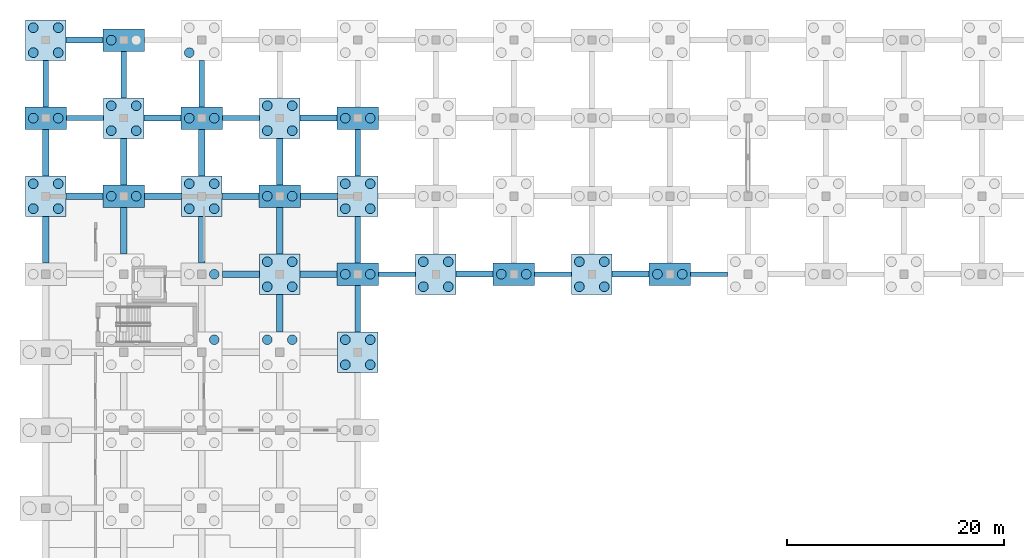
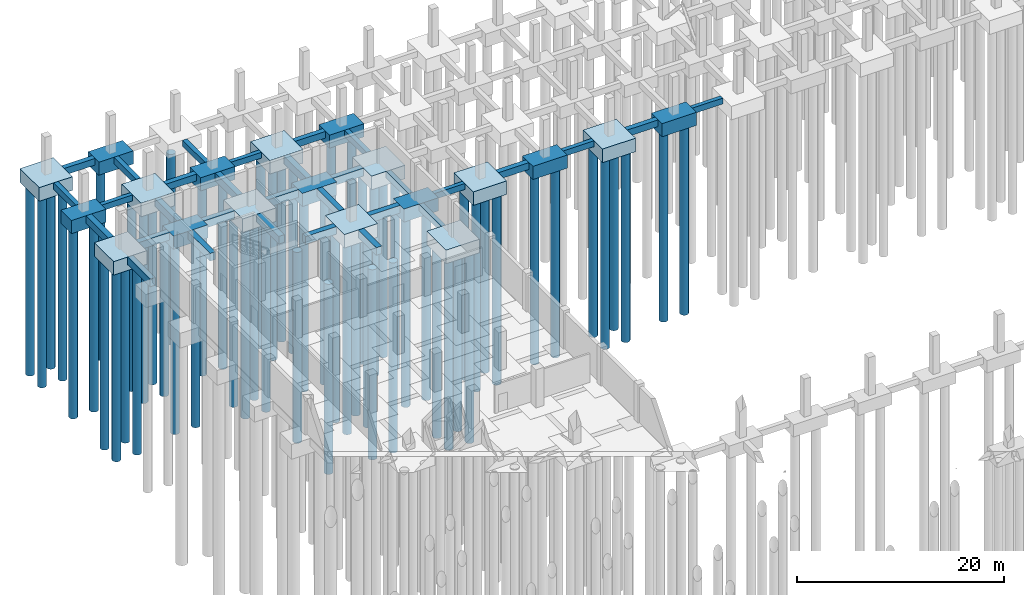
# One storey, part 7 of 36: 62 piles, 50 footings.
"""IFC4 building model written with IfcOpenShell, lengths in metres."""

from ifc_helpers import new_model, si_unit, direction, frame, origin, origin_2d, place, context, subcontext, project, spatial, rectangle, circle, extrude, material, material_profile, profile_set, type_object, element, save


model = new_model("IFC4")

# Units and contexts
model_context = context("Model", 3, precision=1e-05, world=origin(), true_north=direction((0.0, 1.0)))
body_context = subcontext(model_context, "Body", "Model", "MODEL_VIEW")
ifc_project = project(units=[si_unit("LENGTHUNIT", "METRE"), si_unit("AREAUNIT", "SQUARE_METRE"), si_unit("VOLUMEUNIT", "CUBIC_METRE"), si_unit("PLANEANGLEUNIT", "RADIAN"), si_unit("MASSUNIT", "GRAM", prefix="KILO")], contexts=[model_context])

# Site, building, storey
site_placement = place(None, origin())
site = spatial("IfcSite", under=ifc_project, at=site_placement, CompositionType="ELEMENT")
building_placement = place(site_placement, origin())
building = spatial("IfcBuilding", under=site, at=building_placement, Name="Kalmorath City Hall", CompositionType="ELEMENT")
storey_placement = place(building_placement, frame((0.0, 0.0, -4.5)))
storey = spatial("IfcBuildingStorey", under=building, at=storey_placement, Name="B1", CompositionType="ELEMENT", Elevation=-4.5)

# Piles
ifc_material_1 = material(Name="Concrete C40/50", Category="concrete")
ifc_material_profile_1 = material_profile(ifc_material_1, circle(Radius=0.449951171875, at=origin_2d()), Name="PILE-D900")
ifc_profile_set_1 = profile_set([ifc_material_profile_1], Name="Concrete C40/50")
pile_type = type_object("IfcPileType", Name="Bored concrete pile D900", PredefinedType="BORED", material=ifc_profile_set_1)
for number, where, z_axis, x_axis, name in (
    (1, (-1.14990234375, 99.64990234375, -1.5), (0.0, 0.0, -1.0), (1.0, 0.0, 0.0), "Bored pile PL-900 1.15.1"),
    (2, (1.14990234375, 99.64990234375, -1.5), (0.0, 0.0, -1.0), (1.0, 0.0, 0.0), "Bored pile PL-900 1.15.2"),
    (3, (-1.14990234375, 101.949951171875, -1.5), (0.0, 0.0, -1.0), (1.0, 0.0, 0.0), "Bored pile PL-900 1.15.3"),
    (4, (1.14990234375, 101.949951171875, -1.5), (0.0, 0.0, -1.0), (1.0, 0.0, 0.0), "Bored pile PL-900 1.15.4"),
):
    element("IfcPile", number, at=place(storey_placement, frame(where, z_axis=z_axis, x_axis=x_axis)), inside=storey, type_object=pile_type, Name=name, PredefinedType="BORED", context=body_context, shape_type="SweptSolid", body=[
        extrude(circle(Radius=0.449951171875, at=origin_2d()), origin(), (0.0, 0.0, 1.0), 22.5),
    ])
for number, where, z_axis, x_axis, name in (
    (5, (-1.14990234375, 108.0, -1.449951171875), (0.0, 0.0, -1.0), (1.0, 0.0, 0.0), "Bored pile PL-900 1.16.1"),
    (6, (1.14990234375, 108.0, -1.449951171875), (0.0, 0.0, -1.0), (1.0, 0.0, 0.0), "Bored pile PL-900 1.16.2"),
):
    element("IfcPile", number, at=place(storey_placement, frame(where, z_axis=z_axis, x_axis=x_axis)), inside=storey, type_object=pile_type, Name=name, PredefinedType="BORED", context=body_context, shape_type="SweptSolid", body=[
        extrude(circle(Radius=0.449951171875, at=origin_2d()), origin(), (0.0, 0.0, 1.0), 22.550048828125),
    ])
for number, where, z_axis, x_axis, name in (
    (7, (-1.14990234375, 114.050048828125, -1.5), (0.0, 0.0, -1.0), (1.0, 0.0, 0.0), "Bored pile PL-900 1.17.1"),
    (8, (1.14990234375, 114.050048828125, -1.5), (0.0, 0.0, -1.0), (1.0, 0.0, 0.0), "Bored pile PL-900 1.17.2"),
    (9, (-1.14990234375, 116.35009765625, -1.5), (0.0, 0.0, -1.0), (1.0, 0.0, 0.0), "Bored pile PL-900 1.17.3"),
    (10, (1.14990234375, 116.35009765625, -1.5), (0.0, 0.0, -1.0), (1.0, 0.0, 0.0), "Bored pile PL-900 1.17.4"),
):
    element("IfcPile", number, at=place(storey_placement, frame(where, z_axis=z_axis, x_axis=x_axis)), inside=storey, type_object=pile_type, Name=name, PredefinedType="BORED", context=body_context, shape_type="SweptSolid", body=[
        extrude(circle(Radius=0.449951171875, at=origin_2d()), origin(), (0.0, 0.0, 1.0), 22.5),
    ])
for number, where, z_axis, x_axis, name in (
    (11, (6.050048828125, 100.800048828125, -1.449951171875), (0.0, 0.0, -1.0), (1.0, 0.0, 0.0), "Bored pile PL-900 2.15.1"),
    (12, (8.35009765625, 100.800048828125, -1.449951171875), (0.0, 0.0, -1.0), (1.0, 0.0, 0.0), "Bored pile PL-900 2.15.2"),
):
    element("IfcPile", number, at=place(storey_placement, frame(where, z_axis=z_axis, x_axis=x_axis)), inside=storey, type_object=pile_type, Name=name, PredefinedType="BORED", context=body_context, shape_type="SweptSolid", body=[
        extrude(circle(Radius=0.449951171875, at=origin_2d()), origin(), (0.0, 0.0, 1.0), 22.550048828125),
    ])
for number, where, z_axis, x_axis, name in (
    (13, (6.050048828125, 106.85009765625, -1.5), (0.0, 0.0, -1.0), (1.0, 0.0, 0.0), "Bored pile PL-900 2.16.1"),
    (14, (8.35009765625, 106.85009765625, -1.5), (0.0, 0.0, -1.0), (1.0, 0.0, 0.0), "Bored pile PL-900 2.16.2"),
    (15, (6.050048828125, 109.14990234375, -1.5), (0.0, 0.0, -1.0), (1.0, 0.0, 0.0), "Bored pile PL-900 2.16.3"),
    (16, (8.35009765625, 109.14990234375, -1.5), (0.0, 0.0, -1.0), (1.0, 0.0, 0.0), "Bored pile PL-900 2.16.4"),
):
    element("IfcPile", number, at=place(storey_placement, frame(where, z_axis=z_axis, x_axis=x_axis)), inside=storey, type_object=pile_type, Name=name, PredefinedType="BORED", context=body_context, shape_type="SweptSolid", body=[
        extrude(circle(Radius=0.449951171875, at=origin_2d()), origin(), (0.0, 0.0, 1.0), 22.5),
    ])
pile_1_placement = place(storey_placement, frame((6.050048828125, 115.199951171875, -1.449951171875), z_axis=(0.0, 0.0, -1.0), x_axis=(1.0, 0.0, 0.0)))
element("IfcPile", 17, at=pile_1_placement, inside=storey, type_object=pile_type, Name="Bored pile PL-900 2.17.1", PredefinedType="BORED", context=body_context, shape_type="SweptSolid", body=[
    extrude(circle(Radius=0.449951171875, at=origin_2d()), origin(), (0.0, 0.0, 1.0), 22.550048828125),
])
pile_2_placement = place(storey_placement, frame((15.550048828125, 87.550048828125, -1.550048828125), z_axis=(0.0, 0.0, -1.0), x_axis=(1.0, 0.0, 0.0)))
element("IfcPile", 18, at=pile_2_placement, inside=storey, type_object=pile_type, Name="Bored pile PL-900 3.13.4", PredefinedType="BORED", context=body_context, shape_type="SweptSolid", body=[
    extrude(circle(Radius=0.449951171875, at=origin_2d()), origin(), (0.0, 0.0, 1.0), 22.449951171875),
])
pile_3_placement = place(storey_placement, frame((15.550048828125, 93.60009765625, -1.449951171875), z_axis=(0.0, 0.0, -1.0), x_axis=(1.0, 0.0, 0.0)))
element("IfcPile", 19, at=pile_3_placement, inside=storey, type_object=pile_type, Name="Bored pile PL-900 3.14.2", PredefinedType="BORED", context=body_context, shape_type="SweptSolid", body=[
    extrude(circle(Radius=0.449951171875, at=origin_2d()), origin(), (0.0, 0.0, 1.0), 22.550048828125),
])
for number, where, z_axis, x_axis, name in (
    (20, (13.25, 99.64990234375, -1.5), (0.0, 0.0, -1.0), (1.0, 0.0, 0.0), "Bored pile PL-900 3.15.1"),
    (21, (15.550048828125, 99.64990234375, -1.5), (0.0, 0.0, -1.0), (1.0, 0.0, 0.0), "Bored pile PL-900 3.15.2"),
    (22, (13.25, 101.949951171875, -1.5), (0.0, 0.0, -1.0), (1.0, 0.0, 0.0), "Bored pile PL-900 3.15.3"),
    (23, (15.550048828125, 101.949951171875, -1.5), (0.0, 0.0, -1.0), (1.0, 0.0, 0.0), "Bored pile PL-900 3.15.4"),
):
    element("IfcPile", number, at=place(storey_placement, frame(where, z_axis=z_axis, x_axis=x_axis)), inside=storey, type_object=pile_type, Name=name, PredefinedType="BORED", context=body_context, shape_type="SweptSolid", body=[
        extrude(circle(Radius=0.449951171875, at=origin_2d()), origin(), (0.0, 0.0, 1.0), 22.5),
    ])
for number, where, z_axis, x_axis, name in (
    (24, (13.25, 108.0, -1.449951171875), (0.0, 0.0, -1.0), (1.0, 0.0, 0.0), "Bored pile PL-900 3.16.1"),
    (25, (15.550048828125, 108.0, -1.449951171875), (0.0, 0.0, -1.0), (1.0, 0.0, 0.0), "Bored pile PL-900 3.16.2"),
):
    element("IfcPile", number, at=place(storey_placement, frame(where, z_axis=z_axis, x_axis=x_axis)), inside=storey, type_object=pile_type, Name=name, PredefinedType="BORED", context=body_context, shape_type="SweptSolid", body=[
        extrude(circle(Radius=0.449951171875, at=origin_2d()), origin(), (0.0, 0.0, 1.0), 22.550048828125),
    ])
pile_4_placement = place(storey_placement, frame((13.25, 114.050048828125, -1.5), z_axis=(0.0, 0.0, -1.0), x_axis=(1.0, 0.0, 0.0)))
element("IfcPile", 26, at=pile_4_placement, inside=storey, type_object=pile_type, Name="Bored pile PL-900 3.17.1", PredefinedType="BORED", context=body_context, shape_type="SweptSolid", body=[
    extrude(circle(Radius=0.449951171875, at=origin_2d()), origin(), (0.0, 0.0, 1.0), 22.5),
])
for number, where, z_axis, x_axis, name in (
    (27, (20.449951171875, 87.550048828125, -1.550048828125), (0.0, 0.0, -1.0), (1.0, 0.0, 0.0), "Bored pile PL-900 4.13.3"),
    (28, (22.75, 87.550048828125, -1.550048828125), (0.0, 0.0, -1.0), (1.0, 0.0, 0.0), "Bored pile PL-900 4.13.4"),
):
    element("IfcPile", number, at=place(storey_placement, frame(where, z_axis=z_axis, x_axis=x_axis)), inside=storey, type_object=pile_type, Name=name, PredefinedType="BORED", context=body_context, shape_type="SweptSolid", body=[
        extrude(circle(Radius=0.449951171875, at=origin_2d()), origin(), (0.0, 0.0, 1.0), 22.449951171875),
    ])
for number, where, z_axis, x_axis, name in (
    (29, (20.449951171875, 92.449951171875, -1.5), (0.0, 0.0, -1.0), (1.0, 0.0, 0.0), "Bored pile PL-900 4.14.1"),
    (30, (22.75, 92.449951171875, -1.5), (0.0, 0.0, -1.0), (1.0, 0.0, 0.0), "Bored pile PL-900 4.14.2"),
    (31, (20.449951171875, 94.75, -1.5), (0.0, 0.0, -1.0), (1.0, 0.0, 0.0), "Bored pile PL-900 4.14.3"),
    (32, (22.75, 94.75, -1.5), (0.0, 0.0, -1.0), (1.0, 0.0, 0.0), "Bored pile PL-900 4.14.4"),
):
    element("IfcPile", number, at=place(storey_placement, frame(where, z_axis=z_axis, x_axis=x_axis)), inside=storey, type_object=pile_type, Name=name, PredefinedType="BORED", context=body_context, shape_type="SweptSolid", body=[
        extrude(circle(Radius=0.449951171875, at=origin_2d()), origin(), (0.0, 0.0, 1.0), 22.5),
    ])
for number, where, z_axis, x_axis, name in (
    (33, (20.449951171875, 100.800048828125, -1.449951171875), (0.0, 0.0, -1.0), (1.0, 0.0, 0.0), "Bored pile PL-900 4.15.1"),
    (34, (22.75, 100.800048828125, -1.449951171875), (0.0, 0.0, -1.0), (1.0, 0.0, 0.0), "Bored pile PL-900 4.15.2"),
):
    element("IfcPile", number, at=place(storey_placement, frame(where, z_axis=z_axis, x_axis=x_axis)), inside=storey, type_object=pile_type, Name=name, PredefinedType="BORED", context=body_context, shape_type="SweptSolid", body=[
        extrude(circle(Radius=0.449951171875, at=origin_2d()), origin(), (0.0, 0.0, 1.0), 22.550048828125),
    ])
for number, where, z_axis, x_axis, name in (
    (35, (20.449951171875, 106.85009765625, -1.5), (0.0, 0.0, -1.0), (1.0, 0.0, 0.0), "Bored pile PL-900 4.16.1"),
    (36, (22.75, 106.85009765625, -1.5), (0.0, 0.0, -1.0), (1.0, 0.0, 0.0), "Bored pile PL-900 4.16.2"),
    (37, (20.449951171875, 109.14990234375, -1.5), (0.0, 0.0, -1.0), (1.0, 0.0, 0.0), "Bored pile PL-900 4.16.3"),
    (38, (22.75, 109.14990234375, -1.5), (0.0, 0.0, -1.0), (1.0, 0.0, 0.0), "Bored pile PL-900 4.16.4"),
    (39, (27.64990234375, 85.25, -1.5), (0.0, 0.0, -1.0), (1.0, 0.0, 0.0), "Bored pile PL-900 5.13.1"),
    (40, (29.949951171875, 85.25, -1.5), (0.0, 0.0, -1.0), (1.0, 0.0, 0.0), "Bored pile PL-900 5.13.2"),
    (41, (27.64990234375, 87.550048828125, -1.5), (0.0, 0.0, -1.0), (1.0, 0.0, 0.0), "Bored pile PL-900 5.13.3"),
    (42, (29.949951171875, 87.550048828125, -1.5), (0.0, 0.0, -1.0), (1.0, 0.0, 0.0), "Bored pile PL-900 5.13.4"),
):
    element("IfcPile", number, at=place(storey_placement, frame(where, z_axis=z_axis, x_axis=x_axis)), inside=storey, type_object=pile_type, Name=name, PredefinedType="BORED", context=body_context, shape_type="SweptSolid", body=[
        extrude(circle(Radius=0.449951171875, at=origin_2d()), origin(), (0.0, 0.0, 1.0), 22.5),
    ])
for number, where, z_axis, x_axis, name in (
    (43, (27.64990234375, 93.60009765625, -1.449951171875), (0.0, 0.0, -1.0), (1.0, 0.0, 0.0), "Bored pile PL-900 5.14.1"),
    (44, (29.949951171875, 93.60009765625, -1.449951171875), (0.0, 0.0, -1.0), (1.0, 0.0, 0.0), "Bored pile PL-900 5.14.2"),
):
    element("IfcPile", number, at=place(storey_placement, frame(where, z_axis=z_axis, x_axis=x_axis)), inside=storey, type_object=pile_type, Name=name, PredefinedType="BORED", context=body_context, shape_type="SweptSolid", body=[
        extrude(circle(Radius=0.449951171875, at=origin_2d()), origin(), (0.0, 0.0, 1.0), 22.550048828125),
    ])
for number, where, z_axis, x_axis, name in (
    (45, (27.64990234375, 99.64990234375, -1.5), (0.0, 0.0, -1.0), (1.0, 0.0, 0.0), "Bored pile PL-900 5.15.1"),
    (46, (29.949951171875, 99.64990234375, -1.5), (0.0, 0.0, -1.0), (1.0, 0.0, 0.0), "Bored pile PL-900 5.15.2"),
    (47, (27.64990234375, 101.949951171875, -1.5), (0.0, 0.0, -1.0), (1.0, 0.0, 0.0), "Bored pile PL-900 5.15.3"),
    (48, (29.949951171875, 101.949951171875, -1.5), (0.0, 0.0, -1.0), (1.0, 0.0, 0.0), "Bored pile PL-900 5.15.4"),
):
    element("IfcPile", number, at=place(storey_placement, frame(where, z_axis=z_axis, x_axis=x_axis)), inside=storey, type_object=pile_type, Name=name, PredefinedType="BORED", context=body_context, shape_type="SweptSolid", body=[
        extrude(circle(Radius=0.449951171875, at=origin_2d()), origin(), (0.0, 0.0, 1.0), 22.5),
    ])
for number, where, z_axis, x_axis, name in (
    (49, (27.64990234375, 108.0, -1.449951171875), (0.0, 0.0, -1.0), (1.0, 0.0, 0.0), "Bored pile PL-900 5.16.1"),
    (50, (29.949951171875, 108.0, -1.449951171875), (0.0, 0.0, -1.0), (1.0, 0.0, 0.0), "Bored pile PL-900 5.16.2"),
):
    element("IfcPile", number, at=place(storey_placement, frame(where, z_axis=z_axis, x_axis=x_axis)), inside=storey, type_object=pile_type, Name=name, PredefinedType="BORED", context=body_context, shape_type="SweptSolid", body=[
        extrude(circle(Radius=0.449951171875, at=origin_2d()), origin(), (0.0, 0.0, 1.0), 22.550048828125),
    ])
for number, where, z_axis, x_axis, name in (
    (51, (34.85009765625, 92.449951171875, -1.5), (0.0, 0.0, -1.0), (1.0, 0.0, 0.0), "Bored pile PL-900 6.14.1"),
    (52, (37.14990234375, 92.449951171875, -1.5), (0.0, 0.0, -1.0), (1.0, 0.0, 0.0), "Bored pile PL-900 6.14.2"),
    (53, (34.85009765625, 94.75, -1.5), (0.0, 0.0, -1.0), (1.0, 0.0, 0.0), "Bored pile PL-900 6.14.3"),
    (54, (37.14990234375, 94.75, -1.5), (0.0, 0.0, -1.0), (1.0, 0.0, 0.0), "Bored pile PL-900 6.14.4"),
):
    element("IfcPile", number, at=place(storey_placement, frame(where, z_axis=z_axis, x_axis=x_axis)), inside=storey, type_object=pile_type, Name=name, PredefinedType="BORED", context=body_context, shape_type="SweptSolid", body=[
        extrude(circle(Radius=0.449951171875, at=origin_2d()), origin(), (0.0, 0.0, 1.0), 22.5),
    ])
for number, where, z_axis, x_axis, name in (
    (55, (42.050048828125, 93.60009765625, -1.449951171875), (0.0, 0.0, -1.0), (1.0, 0.0, 0.0), "Bored pile PL-900 7.14.1"),
    (56, (44.35009765625, 93.60009765625, -1.449951171875), (0.0, 0.0, -1.0), (1.0, 0.0, 0.0), "Bored pile PL-900 7.14.2"),
):
    element("IfcPile", number, at=place(storey_placement, frame(where, z_axis=z_axis, x_axis=x_axis)), inside=storey, type_object=pile_type, Name=name, PredefinedType="BORED", context=body_context, shape_type="SweptSolid", body=[
        extrude(circle(Radius=0.449951171875, at=origin_2d()), origin(), (0.0, 0.0, 1.0), 22.550048828125),
    ])
for number, where, z_axis, x_axis, name in (
    (57, (49.25, 92.449951171875, -1.5), (0.0, 0.0, -1.0), (1.0, 0.0, 0.0), "Bored pile PL-900 8.14.1"),
    (58, (51.550048828125, 92.449951171875, -1.5), (0.0, 0.0, -1.0), (1.0, 0.0, 0.0), "Bored pile PL-900 8.14.2"),
    (59, (49.25, 94.75, -1.5), (0.0, 0.0, -1.0), (1.0, 0.0, 0.0), "Bored pile PL-900 8.14.3"),
    (60, (51.550048828125, 94.75, -1.5), (0.0, 0.0, -1.0), (1.0, 0.0, 0.0), "Bored pile PL-900 8.14.4"),
):
    element("IfcPile", number, at=place(storey_placement, frame(where, z_axis=z_axis, x_axis=x_axis)), inside=storey, type_object=pile_type, Name=name, PredefinedType="BORED", context=body_context, shape_type="SweptSolid", body=[
        extrude(circle(Radius=0.449951171875, at=origin_2d()), origin(), (0.0, 0.0, 1.0), 22.5),
    ])
for number, where, z_axis, x_axis, name in (
    (61, (56.449951171875, 93.60009765625, -1.449951171875), (0.0, 0.0, -1.0), (1.0, 0.0, 0.0), "Bored pile PL-900 9.14.1"),
    (62, (58.75, 93.60009765625, -1.449951171875), (0.0, 0.0, -1.0), (1.0, 0.0, 0.0), "Bored pile PL-900 9.14.2"),
):
    element("IfcPile", number, at=place(storey_placement, frame(where, z_axis=z_axis, x_axis=x_axis)), inside=storey, type_object=pile_type, Name=name, PredefinedType="BORED", context=body_context, shape_type="SweptSolid", body=[
        extrude(circle(Radius=0.449951171875, at=origin_2d()), origin(), (0.0, 0.0, 1.0), 22.550048828125),
    ])

# Footings
ifc_material_2 = material(Name="Concrete C40/50", Category="concrete")
ifc_material_profile_2 = material_profile(ifc_material_2, rectangle(XDim=0.449951171875, YDim=0.699951171875, at=origin_2d()), Name="RC-BM-450X700")
ifc_profile_set_2 = profile_set([ifc_material_profile_2], Name="Concrete C40/50")
footing_type_1 = type_object("IfcFootingType", Name="Concrete ground tie beam 450x700", PredefinedType="FOOTING_BEAM", material=ifc_profile_set_2)
for number, where, z_axis, x_axis, name in (
    (63, (1.925048828125, 108.0, -0.35009765625), (1.0, 0.0, 0.0), (0.0, 1.0, 0.0), "Ground tie beam GB4 X1-16"),
    (64, (16.324951171875, 108.0, -0.35009765625), (1.0, 0.0, 0.0), (0.0, 1.0, 0.0), "Ground tie beam GB4 X3-16"),
):
    element("IfcFooting", number, at=place(storey_placement, frame(where, z_axis=z_axis, x_axis=x_axis)), inside=storey, type_object=footing_type_1, Name=name, PredefinedType="FOOTING_BEAM", context=body_context, shape_type="SweptSolid", body=[
        extrude(rectangle(XDim=0.449951171875, YDim=0.699951171875, at=origin_2d()), origin(), (0.0, 0.0, 1.0), 3.4150390625),
    ])
footing_1_placement = place(storey_placement, frame((30.72509765625, 93.60009765625, -0.35009765625), z_axis=(1.0, 0.0, 0.0), x_axis=(0.0, 1.0, 0.0)))
element("IfcFooting", 65, at=footing_1_placement, inside=storey, type_object=footing_type_1, Name="Ground tie beam GB4 X5-14", PredefinedType="FOOTING_BEAM", context=body_context, shape_type="SweptSolid", body=[
    extrude(rectangle(XDim=0.449951171875, YDim=0.699951171875, at=origin_2d()), origin(), (0.0, 0.0, 1.0), 3.414794921875),
])
for number, where, z_axis, x_axis, name in (
    (66, (45.125, 93.60009765625, -0.35009765625), (1.0, 0.0, 0.0), (0.0, 1.0, 0.0), "Ground tie beam GB4 X7-14"),
    (67, (59.52490234375, 93.60009765625, -0.35009765625), (1.0, 0.0, 0.0), (0.0, 1.0, 0.0), "Ground tie beam GB4 X9-14"),
):
    element("IfcFooting", number, at=place(storey_placement, frame(where, z_axis=z_axis, x_axis=x_axis)), inside=storey, type_object=footing_type_1, Name=name, PredefinedType="FOOTING_BEAM", context=body_context, shape_type="SweptSolid", body=[
        extrude(rectangle(XDim=0.449951171875, YDim=0.699951171875, at=origin_2d()), origin(), (0.0, 0.0, 1.0), 3.4150390625),
    ])
ifc_material_3 = material(Name="Concrete C40/50", Category="concrete")
ifc_material_profile_3 = material_profile(ifc_material_3, rectangle(XDim=0.5, YDim=0.75, at=origin_2d()), Name="RC-BM-500X750")
ifc_profile_set_3 = profile_set([ifc_material_profile_3], Name="Concrete C40/50")
footing_type_2 = type_object("IfcFootingType", Name="Concrete ground tie beam 500x750", PredefinedType="FOOTING_BEAM", material=ifc_profile_set_3)
footing_2_placement = place(storey_placement, frame((0.0, 109.02490234375, -0.375), z_axis=(0.0, 1.0, 0.0), x_axis=(-1.0, 0.0, 0.0)))
element("IfcFooting", 68, at=footing_2_placement, inside=storey, type_object=footing_type_2, Name="Ground tie beam GB3 Y1-16", PredefinedType="FOOTING_BEAM", context=body_context, shape_type="SweptSolid", body=[
    extrude(rectangle(XDim=0.5, YDim=0.75, at=origin_2d()), origin(), (0.0, 0.0, 1.0), 4.315185546875),
])
footing_3_placement = place(storey_placement, frame((7.199951171875, 109.860107421875, -0.375), z_axis=(0.0, 1.0, 0.0), x_axis=(-1.0, 0.0, 0.0)))
element("IfcFooting", 69, at=footing_3_placement, inside=storey, type_object=footing_type_2, Name="Ground tie beam GB3 Y2-16", PredefinedType="FOOTING_BEAM", context=body_context, shape_type="SweptSolid", body=[
    extrude(rectangle(XDim=0.5, YDim=0.75, at=origin_2d()), origin(), (0.0, 0.0, 1.0), 4.31494140625),
])
footing_4_placement = place(storey_placement, frame((14.39990234375, 109.02490234375, -0.375), z_axis=(0.0, 1.0, 0.0), x_axis=(-1.0, 0.0, 0.0)))
element("IfcFooting", 70, at=footing_4_placement, inside=storey, type_object=footing_type_2, Name="Ground tie beam GB3 Y3-16", PredefinedType="FOOTING_BEAM", context=body_context, shape_type="SweptSolid", body=[
    extrude(rectangle(XDim=0.5, YDim=0.75, at=origin_2d()), origin(), (0.0, 0.0, 1.0), 4.315185546875),
])
for number, where, z_axis, x_axis, name in (
    (71, (28.800048828125, 88.260009765625, -0.375), (0.0, 1.0, 0.0), (-1.0, 0.0, 0.0), "Ground tie beam GB3 Y5-13"),
    (72, (28.800048828125, 94.625, -0.375), (0.0, 1.0, 0.0), (-1.0, 0.0, 0.0), "Ground tie beam GB3 Y5-14"),
):
    element("IfcFooting", number, at=place(storey_placement, frame(where, z_axis=z_axis, x_axis=x_axis)), inside=storey, type_object=footing_type_2, Name=name, PredefinedType="FOOTING_BEAM", context=body_context, shape_type="SweptSolid", body=[
        extrude(rectangle(XDim=0.5, YDim=0.75, at=origin_2d()), origin(), (0.0, 0.0, 1.0), 4.31494140625),
    ])
footing_5_placement = place(storey_placement, frame((28.800048828125, 102.659912109375, -0.375), z_axis=(0.0, 1.0, 0.0), x_axis=(-1.0, 0.0, 0.0)))
element("IfcFooting", 73, at=footing_5_placement, inside=storey, type_object=footing_type_2, Name="Ground tie beam GB3 Y5-15", PredefinedType="FOOTING_BEAM", context=body_context, shape_type="SweptSolid", body=[
    extrude(rectangle(XDim=0.5, YDim=0.75, at=origin_2d()), origin(), (0.0, 0.0, 1.0), 4.315185546875),
])
ifc_material_4 = material(Name="Concrete C40/50", Category="concrete")
ifc_material_profile_4 = material_profile(ifc_material_4, rectangle(XDim=0.550048828125, YDim=0.800048828125, at=origin_2d()), Name="RC-BM-550X800")
ifc_profile_set_4 = profile_set([ifc_material_profile_4], Name="Concrete C40/50")
footing_type_3 = type_object("IfcFootingType", Name="Concrete ground tie beam 550x800", PredefinedType="FOOTING_BEAM", material=ifc_profile_set_4)
footing_6_placement = place(storey_placement, frame((1.860107421875, 115.199951171875, -0.39990234375), z_axis=(1.0, 0.0, 0.0), x_axis=(0.0, 1.0, 0.0)))
element("IfcFooting", 74, at=footing_6_placement, inside=storey, type_object=footing_type_3, Name="Ground tie beam GB2 X1-17", PredefinedType="FOOTING_BEAM", context=body_context, shape_type="SweptSolid", body=[
    extrude(rectangle(XDim=0.550048828125, YDim=0.800048828125, at=origin_2d()), origin(), (0.0, 0.0, 1.0), 3.414794921875),
])
for number, where, z_axis, x_axis, name in (
    (75, (9.06005859375, 108.0, -0.39990234375), (1.0, 0.0, 0.0), (0.0, 1.0, 0.0), "Ground tie beam GB2 X2-16"),
    (76, (23.4599609375, 108.0, -0.39990234375), (1.0, 0.0, 0.0), (0.0, 1.0, 0.0), "Ground tie beam GB2 X4-16"),
):
    element("IfcFooting", number, at=place(storey_placement, frame(where, z_axis=z_axis, x_axis=x_axis)), inside=storey, type_object=footing_type_3, Name=name, PredefinedType="FOOTING_BEAM", context=body_context, shape_type="SweptSolid", body=[
        extrude(rectangle(XDim=0.550048828125, YDim=0.800048828125, at=origin_2d()), origin(), (0.0, 0.0, 1.0), 3.4150390625),
    ])
footing_7_placement = place(storey_placement, frame((37.860107421875, 93.60009765625, -0.39990234375), z_axis=(1.0, 0.0, 0.0), x_axis=(0.0, 1.0, 0.0)))
element("IfcFooting", 77, at=footing_7_placement, inside=storey, type_object=footing_type_3, Name="Ground tie beam GB2 X6-14", PredefinedType="FOOTING_BEAM", context=body_context, shape_type="SweptSolid", body=[
    extrude(rectangle(XDim=0.550048828125, YDim=0.800048828125, at=origin_2d()), origin(), (0.0, 0.0, 1.0), 3.414794921875),
])
footing_8_placement = place(storey_placement, frame((52.260009765625, 93.60009765625, -0.39990234375), z_axis=(1.0, 0.0, 0.0), x_axis=(0.0, 1.0, 0.0)))
element("IfcFooting", 78, at=footing_8_placement, inside=storey, type_object=footing_type_3, Name="Ground tie beam GB2 X8-14", PredefinedType="FOOTING_BEAM", context=body_context, shape_type="SweptSolid", body=[
    extrude(rectangle(XDim=0.550048828125, YDim=0.800048828125, at=origin_2d()), origin(), (0.0, 0.0, 1.0), 3.4150390625),
])
ifc_material_5 = material(Name="Concrete C40/50", Category="concrete")
ifc_material_profile_5 = material_profile(ifc_material_5, rectangle(XDim=0.60009765625, YDim=0.89990234375, at=origin_2d()), Name="RC-BM-600X900")
ifc_profile_set_5 = profile_set([ifc_material_profile_5], Name="Concrete C40/50")
footing_type_4 = type_object("IfcFootingType", Name="Concrete ground tie beam 600x900", PredefinedType="FOOTING_BEAM", material=ifc_profile_set_5)
footing_9_placement = place(storey_placement, frame((0.0, 94.625, -0.449951171875), z_axis=(0.0, 1.0, 0.0), x_axis=(-1.0, 0.0, 0.0)))
element("IfcFooting", 79, at=footing_9_placement, inside=storey, type_object=footing_type_4, Name="Ground tie beam GB1 Y1-14", PredefinedType="FOOTING_BEAM", context=body_context, shape_type="SweptSolid", body=[
    extrude(rectangle(XDim=0.60009765625, YDim=0.89990234375, at=origin_2d()), origin(), (0.0, 0.0, 1.0), 4.31494140625),
])
footing_10_placement = place(storey_placement, frame((1.860107421875, 100.800048828125, -0.449951171875), z_axis=(1.0, 0.0, 0.0), x_axis=(0.0, 1.0, 0.0)))
element("IfcFooting", 80, at=footing_10_placement, inside=storey, type_object=footing_type_4, Name="Ground tie beam GB1 X1-15", PredefinedType="FOOTING_BEAM", context=body_context, shape_type="SweptSolid", body=[
    extrude(rectangle(XDim=0.60009765625, YDim=0.89990234375, at=origin_2d()), origin(), (0.0, 0.0, 1.0), 3.414794921875),
])
footing_11_placement = place(storey_placement, frame((0.0, 102.659912109375, -0.449951171875), z_axis=(0.0, 1.0, 0.0), x_axis=(-1.0, 0.0, 0.0)))
element("IfcFooting", 81, at=footing_11_placement, inside=storey, type_object=footing_type_4, Name="Ground tie beam GB1 Y1-15", PredefinedType="FOOTING_BEAM", context=body_context, shape_type="SweptSolid", body=[
    extrude(rectangle(XDim=0.60009765625, YDim=0.89990234375, at=origin_2d()), origin(), (0.0, 0.0, 1.0), 4.315185546875),
])
footing_12_placement = place(storey_placement, frame((7.199951171875, 95.4599609375, -0.449951171875), z_axis=(0.0, 1.0, 0.0), x_axis=(-1.0, 0.0, 0.0)))
element("IfcFooting", 82, at=footing_12_placement, inside=storey, type_object=footing_type_4, Name="Ground tie beam GB1 Y2-14", PredefinedType="FOOTING_BEAM", context=body_context, shape_type="SweptSolid", body=[
    extrude(rectangle(XDim=0.60009765625, YDim=0.89990234375, at=origin_2d()), origin(), (0.0, 0.0, 1.0), 4.31494140625),
])
footing_13_placement = place(storey_placement, frame((9.125, 100.800048828125, -0.449951171875), z_axis=(1.0, 0.0, 0.0), x_axis=(0.0, 1.0, 0.0)))
element("IfcFooting", 83, at=footing_13_placement, inside=storey, type_object=footing_type_4, Name="Ground tie beam GB1 X2-15", PredefinedType="FOOTING_BEAM", context=body_context, shape_type="SweptSolid", body=[
    extrude(rectangle(XDim=0.60009765625, YDim=0.89990234375, at=origin_2d()), origin(), (0.0, 0.0, 1.0), 3.4150390625),
])
footing_14_placement = place(storey_placement, frame((7.199951171875, 101.824951171875, -0.449951171875), z_axis=(0.0, 1.0, 0.0), x_axis=(-1.0, 0.0, 0.0)))
element("IfcFooting", 84, at=footing_14_placement, inside=storey, type_object=footing_type_4, Name="Ground tie beam GB1 Y2-15", PredefinedType="FOOTING_BEAM", context=body_context, shape_type="SweptSolid", body=[
    extrude(rectangle(XDim=0.60009765625, YDim=0.89990234375, at=origin_2d()), origin(), (0.0, 0.0, 1.0), 4.31494140625),
])
footing_15_placement = place(storey_placement, frame((16.324951171875, 93.60009765625, -0.449951171875), z_axis=(1.0, 0.0, 0.0), x_axis=(0.0, 1.0, 0.0)))
element("IfcFooting", 85, at=footing_15_placement, inside=storey, type_object=footing_type_4, Name="Ground tie beam GB1 X3-14", PredefinedType="FOOTING_BEAM", context=body_context, shape_type="SweptSolid", body=[
    extrude(rectangle(XDim=0.60009765625, YDim=0.89990234375, at=origin_2d()), origin(), (0.0, 0.0, 1.0), 3.4150390625),
])
footing_16_placement = place(storey_placement, frame((14.39990234375, 94.625, -0.449951171875), z_axis=(0.0, 1.0, 0.0), x_axis=(-1.0, 0.0, 0.0)))
element("IfcFooting", 86, at=footing_16_placement, inside=storey, type_object=footing_type_4, Name="Ground tie beam GB1 Y3-14", PredefinedType="FOOTING_BEAM", context=body_context, shape_type="SweptSolid", body=[
    extrude(rectangle(XDim=0.60009765625, YDim=0.89990234375, at=origin_2d()), origin(), (0.0, 0.0, 1.0), 4.31494140625),
])
footing_17_placement = place(storey_placement, frame((16.260009765625, 100.800048828125, -0.449951171875), z_axis=(1.0, 0.0, 0.0), x_axis=(0.0, 1.0, 0.0)))
element("IfcFooting", 87, at=footing_17_placement, inside=storey, type_object=footing_type_4, Name="Ground tie beam GB1 X3-15", PredefinedType="FOOTING_BEAM", context=body_context, shape_type="SweptSolid", body=[
    extrude(rectangle(XDim=0.60009765625, YDim=0.89990234375, at=origin_2d()), origin(), (0.0, 0.0, 1.0), 3.4150390625),
])
footing_18_placement = place(storey_placement, frame((14.39990234375, 102.659912109375, -0.449951171875), z_axis=(0.0, 1.0, 0.0), x_axis=(-1.0, 0.0, 0.0)))
element("IfcFooting", 88, at=footing_18_placement, inside=storey, type_object=footing_type_4, Name="Ground tie beam GB1 Y3-15", PredefinedType="FOOTING_BEAM", context=body_context, shape_type="SweptSolid", body=[
    extrude(rectangle(XDim=0.60009765625, YDim=0.89990234375, at=origin_2d()), origin(), (0.0, 0.0, 1.0), 4.315185546875),
])
footing_19_placement = place(storey_placement, frame((21.60009765625, 88.27490234375, -0.449951171875), z_axis=(0.0, 1.0, 0.0), x_axis=(-1.0, 0.0, 0.0)))
element("IfcFooting", 89, at=footing_19_placement, inside=storey, type_object=footing_type_4, Name="Ground tie beam GB1 Y4-13", PredefinedType="FOOTING_BEAM", context=body_context, shape_type="SweptSolid", body=[
    extrude(rectangle(XDim=0.60009765625, YDim=0.89990234375, at=origin_2d()), origin(), (0.0, 0.0, 1.0), 3.465087890625),
])
footing_20_placement = place(storey_placement, frame((23.4599609375, 93.60009765625, -0.449951171875), z_axis=(1.0, 0.0, 0.0), x_axis=(0.0, 1.0, 0.0)))
element("IfcFooting", 90, at=footing_20_placement, inside=storey, type_object=footing_type_4, Name="Ground tie beam GB1 X4-14", PredefinedType="FOOTING_BEAM", context=body_context, shape_type="SweptSolid", body=[
    extrude(rectangle(XDim=0.60009765625, YDim=0.89990234375, at=origin_2d()), origin(), (0.0, 0.0, 1.0), 3.4150390625),
])
footing_21_placement = place(storey_placement, frame((21.60009765625, 95.4599609375, -0.449951171875), z_axis=(0.0, 1.0, 0.0), x_axis=(-1.0, 0.0, 0.0)))
element("IfcFooting", 91, at=footing_21_placement, inside=storey, type_object=footing_type_4, Name="Ground tie beam GB1 Y4-14", PredefinedType="FOOTING_BEAM", context=body_context, shape_type="SweptSolid", body=[
    extrude(rectangle(XDim=0.60009765625, YDim=0.89990234375, at=origin_2d()), origin(), (0.0, 0.0, 1.0), 4.31494140625),
])
footing_22_placement = place(storey_placement, frame((23.52490234375, 100.800048828125, -0.449951171875), z_axis=(1.0, 0.0, 0.0), x_axis=(0.0, 1.0, 0.0)))
element("IfcFooting", 92, at=footing_22_placement, inside=storey, type_object=footing_type_4, Name="Ground tie beam GB1 X4-15", PredefinedType="FOOTING_BEAM", context=body_context, shape_type="SweptSolid", body=[
    extrude(rectangle(XDim=0.60009765625, YDim=0.89990234375, at=origin_2d()), origin(), (0.0, 0.0, 1.0), 3.4150390625),
])
footing_23_placement = place(storey_placement, frame((21.60009765625, 101.824951171875, -0.449951171875), z_axis=(0.0, 1.0, 0.0), x_axis=(-1.0, 0.0, 0.0)))
element("IfcFooting", 93, at=footing_23_placement, inside=storey, type_object=footing_type_4, Name="Ground tie beam GB1 Y4-15", PredefinedType="FOOTING_BEAM", context=body_context, shape_type="SweptSolid", body=[
    extrude(rectangle(XDim=0.60009765625, YDim=0.89990234375, at=origin_2d()), origin(), (0.0, 0.0, 1.0), 4.31494140625),
])
ifc_material_6 = material(Name="Concrete C40/50", Category="concrete")
footing_type_5 = type_object("IfcFootingType", Name="Four-pile concrete cap 3720x3720x1600", PredefinedType="PILE_CAP", material=ifc_material_6)
for number, where, z_axis, x_axis, name in (
    (94, (0.0, 100.800048828125, -1.60009765625), (0.0, 0.0, 1.0), (1.0, 0.0, 0.0), "Footing PC3 (1/15)"),
    (95, (0.0, 115.199951171875, -1.60009765625), (0.0, 0.0, 1.0), (1.0, 0.0, 0.0), "Footing PC3 (1/17)"),
    (96, (7.199951171875, 108.0, -1.60009765625), (0.0, 0.0, 1.0), (1.0, 0.0, 0.0), "Footing PC3 (2/16)"),
    (97, (14.39990234375, 100.800048828125, -1.60009765625), (0.0, 0.0, 1.0), (1.0, 0.0, 0.0), "Footing PC3 (3/15)"),
    (98, (21.60009765625, 93.60009765625, -1.60009765625), (0.0, 0.0, 1.0), (1.0, 0.0, 0.0), "Footing PC3 (4/14)"),
    (99, (21.60009765625, 108.0, -1.60009765625), (0.0, 0.0, 1.0), (1.0, 0.0, 0.0), "Footing PC3 (4/16)"),
    (100, (28.800048828125, 86.39990234375, -1.60009765625), (0.0, 0.0, 1.0), (1.0, 0.0, 0.0), "Footing PC3 (5/13)"),
    (101, (28.800048828125, 100.800048828125, -1.60009765625), (0.0, 0.0, 1.0), (1.0, 0.0, 0.0), "Footing PC3 (5/15)"),
    (102, (36.0, 93.60009765625, -1.60009765625), (0.0, 0.0, 1.0), (1.0, 0.0, 0.0), "Footing PC3 (6/14)"),
    (103, (50.39990234375, 93.60009765625, -1.60009765625), (0.0, 0.0, 1.0), (1.0, 0.0, 0.0), "Footing PC3 (8/14)"),
):
    element("IfcFooting", number, at=place(storey_placement, frame(where, z_axis=z_axis, x_axis=x_axis)), inside=storey, type_object=footing_type_5, Name=name, PredefinedType="PILE_CAP", context=body_context, shape_type="SweptSolid", body=[
        extrude(rectangle(XDim=3.719970703125, YDim=3.719970703125, at=origin_2d()), origin(), (0.0, 0.0, 1.0), 1.60009765625),
    ])
ifc_material_7 = material(Name="Concrete C40/50", Category="concrete")
footing_type_6 = type_object("IfcFootingType", Name="Two-pile concrete cap 3850x2050x1550", PredefinedType="PILE_CAP", material=ifc_material_7)
for number, where, z_axis, x_axis, name in (
    (104, (0.0, 108.0, -1.5498046875), (0.0, 0.0, 1.0), (1.0, 0.0, 0.0), "Footing PC6 (1/16)"),
    (105, (7.199951171875, 100.800048828125, -1.5498046875), (0.0, 0.0, 1.0), (1.0, 0.0, 0.0), "Footing PC6 (2/15)"),
    (106, (7.199951171875, 115.199951171875, -1.5498046875), (0.0, 0.0, 1.0), (1.0, 0.0, 0.0), "Footing PC6 (2/17)"),
    (107, (14.39990234375, 108.0, -1.5498046875), (0.0, 0.0, 1.0), (1.0, 0.0, 0.0), "Footing PC6 (3/16)"),
    (108, (21.60009765625, 100.800048828125, -1.5498046875), (0.0, 0.0, 1.0), (1.0, 0.0, 0.0), "Footing PC6 (4/15)"),
    (109, (28.800048828125, 93.60009765625, -1.5498046875), (0.0, 0.0, 1.0), (1.0, 0.0, 0.0), "Footing PC6 (5/14)"),
    (110, (28.800048828125, 108.0, -1.5498046875), (0.0, 0.0, 1.0), (1.0, 0.0, 0.0), "Footing PC6 (5/16)"),
    (111, (43.199951171875, 93.60009765625, -1.5498046875), (0.0, 0.0, 1.0), (1.0, 0.0, 0.0), "Footing PC6 (7/14)"),
    (112, (57.60009765625, 93.60009765625, -1.5498046875), (0.0, 0.0, 1.0), (1.0, 0.0, 0.0), "Footing PC6 (9/14)"),
):
    element("IfcFooting", number, at=place(storey_placement, frame(where, z_axis=z_axis, x_axis=x_axis)), inside=storey, type_object=footing_type_6, Name=name, PredefinedType="PILE_CAP", context=body_context, shape_type="SweptSolid", body=[
        extrude(rectangle(XDim=3.85009765625, YDim=2.050048828125, at=origin_2d()), origin(), (0.0, 0.0, 1.0), 1.550048828125),
    ])

save(model, "model.ifc")
